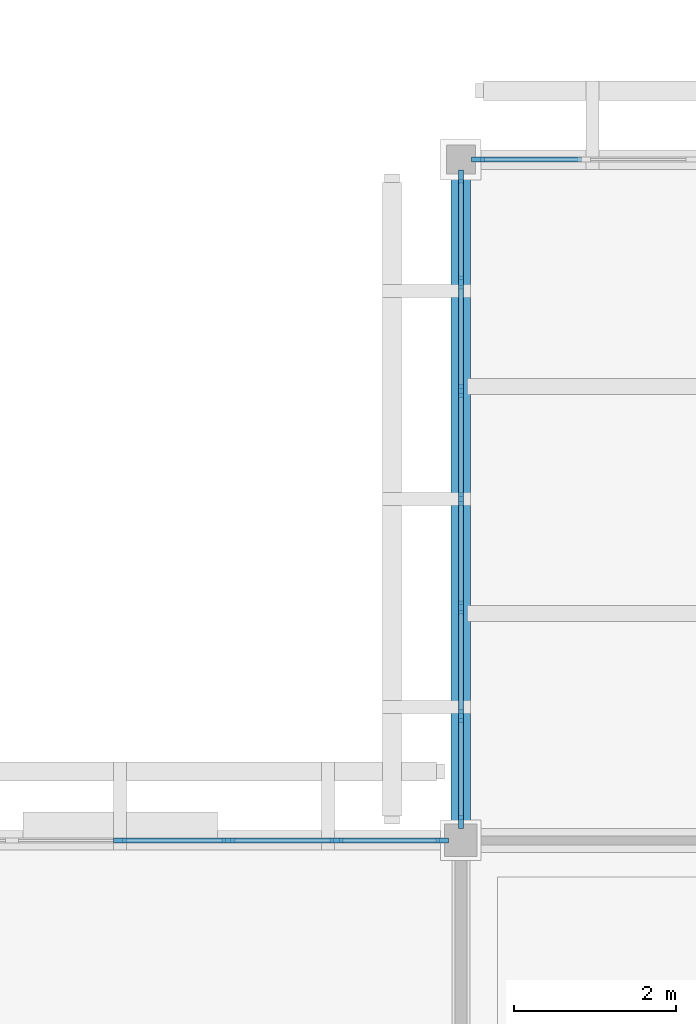
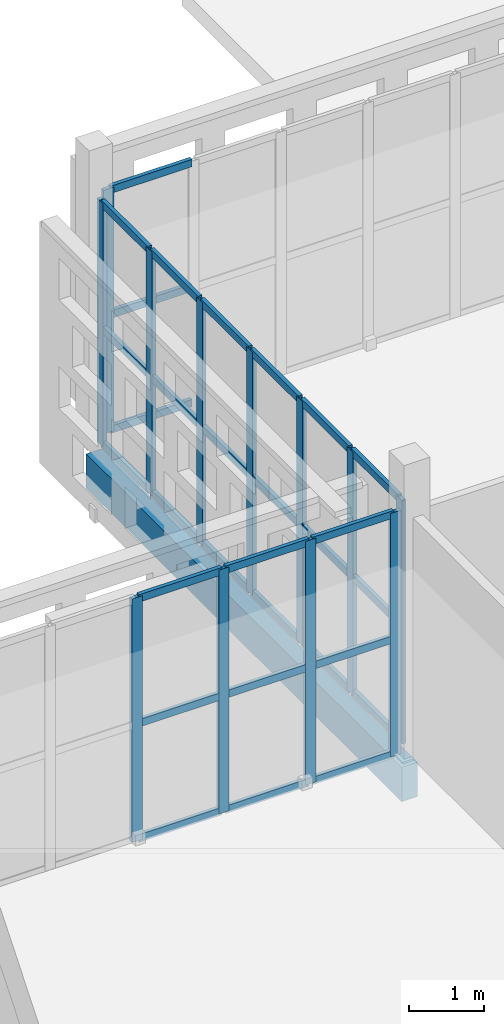
# One storey, part 38 of 203: 42 members, 1 beam, 3 elements without a shape of their own.
"""IFC4 building model written with IfcOpenShell, lengths in metres."""

import ifcopenshell
import ifcopenshell.guid

model = None  # the IFC model being written
_history = None  # IfcOwnerHistory: only IFC2X3 demands one
_inside = {}  # id of a spatial element -> (the spatial element, [elements in it])
_under = {}  # id of a project, library or spatial element -> (it, [spatial elements below it])
_declared = {}  # id of a project -> (the project, [libraries it declares])
_typed = {}  # id of a type object -> (the type object, [elements of that type])
_made_of = {}  # id of a material, layer set ... -> (it, [elements and type objects made of it])


def new_model(schema):
    """Start an empty IFC model of exactly this schema.

    Asked for "IFC4X3", IfcOpenShell would pick the latest addendum, in which some entities
    have other attributes; the version numbers below select the first issue.
    IFC2X3 requires an IfcOwnerHistory on every rooted entity: one is made here for all.
    """
    global model, _history
    if schema == "IFC4X3":
        model = ifcopenshell.file(schema_version=(4, 3, 0, 0))
    else:
        model = ifcopenshell.file(schema=schema)
    _inside.clear()
    _under.clear()
    _declared.clear()
    _typed.clear()
    _made_of.clear()
    _history = None
    if model.schema == "IFC2X3":
        org = make("IfcOrganization", Name="unknown")
        user = make(
            "IfcPersonAndOrganization",
            ThePerson=make("IfcPerson", FamilyName="unknown"),
            TheOrganization=org,
        )
        app = make(
            "IfcApplication",
            ApplicationDeveloper=org,
            Version="unknown",
            ApplicationFullName="unknown",
            ApplicationIdentifier="unknown",
        )
        _history = make(
            "IfcOwnerHistory",
            OwningUser=user,
            OwningApplication=app,
            ChangeAction="ADDED",
            CreationDate=0,
        )
    return model


def make(cls, **values):
    """One entity of the class cls with the attributes given. An attribute that is None is left unset."""
    return model.create_entity(
        cls, **{name: value for name, value in values.items() if value is not None}
    )


def rooted(cls, **values):
    """An entity with a GlobalId (a new one), such as an element, a storey or a relation."""
    return make(cls, GlobalId=ifcopenshell.guid.new(), OwnerHistory=_history, **values)


def si_unit(unit_type, name, prefix=None):
    """IfcSIUnit, for example si_unit("LENGTHUNIT", "METRE", prefix="MILLI")."""
    return make("IfcSIUnit", UnitType=unit_type, Prefix=prefix, Name=name)


def assignment(units):
    """IfcUnitAssignment: the units of a project."""
    return None if units is None else make("IfcUnitAssignment", Units=units)


def point(xyz):
    """IfcCartesianPoint."""
    return None if xyz is None else make("IfcCartesianPoint", Coordinates=xyz)


def direction(xyz):
    """IfcDirection."""
    return None if xyz is None else make("IfcDirection", DirectionRatios=xyz)


def frame(location, z_axis=None, x_axis=None):
    """IfcAxis2Placement3D, a coordinate frame: its origin and axes. An axis left out is left unset."""
    return make(
        "IfcAxis2Placement3D",
        Location=point(location),
        Axis=direction(z_axis),
        RefDirection=direction(x_axis),
    )


def frame_2d(location, x_axis=None):
    """IfcAxis2Placement2D, a coordinate frame in the plane: its origin and x axis."""
    return make(
        "IfcAxis2Placement2D", Location=point(location), RefDirection=direction(x_axis)
    )


def origin():
    """The frame at (0, 0, 0) with its axes left unset."""
    return frame((0.0, 0.0, 0.0))


def origin_2d():
    """The frame at (0, 0) in the plane with its x axis left unset."""
    return frame_2d((0.0, 0.0))


def place(relative_to, where):
    """IfcLocalPlacement: puts the frame where relative to a parent placement (None: the world)."""
    return make(
        "IfcLocalPlacement", PlacementRelTo=relative_to, RelativePlacement=where
    )


def context(
    kind, dimensions, precision=None, world=None, true_north=None, identifier=None
):
    """IfcGeometricRepresentationContext, for example the 3D "Model" context."""
    return make(
        "IfcGeometricRepresentationContext",
        ContextIdentifier=identifier,
        ContextType=kind,
        CoordinateSpaceDimension=dimensions,
        Precision=precision,
        WorldCoordinateSystem=world,
        TrueNorth=true_north,
    )


def subcontext(parent, identifier, kind, view, scale=None):
    """IfcGeometricRepresentationSubContext, for example "Body" below "Model"."""
    return make(
        "IfcGeometricRepresentationSubContext",
        ContextIdentifier=identifier,
        ContextType=kind,
        ParentContext=parent,
        TargetScale=scale,
        TargetView=view,
    )


def project(units=None, contexts=None):
    """IfcProject with its units and contexts."""
    return rooted(
        "IfcProject",
        Name="project",
        RepresentationContexts=contexts,
        UnitsInContext=assignment(units),
    )


def spatial(cls, under=None, at=None, **own):
    """A site, building, storey or space (cls), placed at a placement, below another one or the project."""
    s = rooted(cls, ObjectPlacement=at, **own)
    if under is not None:
        _under.setdefault(under.id(), (under, []))[1].append(s)
    return s


def profile(cls, at=None, kind="AREA", **sizes):
    """A parametric profile (cls). Its sizes go by their IFC names, for example OverallWidth=200.0."""
    return make(cls, ProfileType=kind, Position=at, **sizes)


def rectangle(**sizes):
    """IfcRectangleProfileDef."""
    return profile("IfcRectangleProfileDef", **sizes)


def extrude(swept, where, along, depth):
    """IfcExtrudedAreaSolid: the profile swept, set in the frame where, extruded along a direction by depth."""
    return make(
        "IfcExtrudedAreaSolid",
        SweptArea=swept,
        Position=where,
        ExtrudedDirection=direction(along),
        Depth=depth,
    )


def shape(context_of_items, identifier, shape_type, items):
    """IfcShapeRepresentation: the items that make up one representation, for example the "Body"."""
    return make(
        "IfcShapeRepresentation",
        ContextOfItems=context_of_items,
        RepresentationIdentifier=identifier,
        RepresentationType=shape_type,
        Items=items,
    )


def material(Name=None, Category=None):
    """IfcMaterial."""
    return make("IfcMaterial", Name=Name, Category=Category)


def layer(
    of_material, thickness, ventilated=None, Name=None, Category=None, Priority=None
):
    """IfcMaterialLayer: one layer of a wall or slab, of a material (None: an air gap)."""
    return make(
        "IfcMaterialLayer",
        Material=of_material,
        LayerThickness=thickness,
        IsVentilated=ventilated,
        Name=Name,
        Category=Category,
        Priority=Priority,
    )


def layer_set(layers, Name=None):
    """IfcMaterialLayerSet."""
    return make("IfcMaterialLayerSet", MaterialLayers=layers, LayerSetName=Name)


def material_profile(
    of_material, cross_section, Name=None, Category=None, Priority=None
):
    """IfcMaterialProfile: a cross section and its material."""
    return make(
        "IfcMaterialProfile",
        Name=Name,
        Material=of_material,
        Profile=cross_section,
        Priority=Priority,
        Category=Category,
    )


def profile_set(profiles, Name=None, composite=None):
    """IfcMaterialProfileSet."""
    return make(
        "IfcMaterialProfileSet",
        Name=Name,
        MaterialProfiles=profiles,
        CompositeProfile=composite,
    )


def made_of(thing, what):
    """Note that an element or type object is made of a material, layer set ...; save() writes the relation."""
    if what is not None:
        _made_of.setdefault(what.id(), (what, []))[1].append(thing)
    return thing


def type_object(cls, material=None, **own):
    """A type object (cls), such as IfcWallType, which elements share."""
    return made_of(rooted(cls, **own), material)


def element(
    cls,
    number,
    at=None,
    inside=None,
    cuts=None,
    type_object=None,
    material=None,
    context=None,
    identifier="Body",
    shape_type=None,
    held_by="IfcProductDefinitionShape",
    body=None,
    shapes=None,
    **own,
):
    """One element of the class cls, such as IfcWall. Its Tag is "e" and its number.

    at: its placement. inside: the storey or other place that contains it. cuts: it is an
    opening in that element (IfcRelVoidsElement). A single representation is given by context,
    identifier, shape_type and body (its items); several are given by shapes. held_by: the class
    of the entity that holds the representations. save() writes the other relations.
    """
    e = rooted(cls, Tag="e%d" % number, ObjectPlacement=at, **own)
    if body is not None:
        shapes = [shape(context, identifier, shape_type, body)]
    if shapes is not None:
        e.Representation = make(held_by, Representations=shapes)
    if inside is not None:
        _inside.setdefault(inside.id(), (inside, []))[1].append(e)
    if cuts is not None:
        rooted(
            "IfcRelVoidsElement", RelatingBuildingElement=cuts, RelatedOpeningElement=e
        )
    if type_object is not None:
        _typed.setdefault(type_object.id(), (type_object, []))[1].append(e)
    return made_of(e, material)


def aggregate(whole, parts):
    """IfcRelAggregates: a whole, such as a stair, and the parts it consists of."""
    return rooted("IfcRelAggregates", RelatingObject=whole, RelatedObjects=parts)


def save(model, path):
    """Write the relations noted so far, then the file.

    IfcRelAggregates (storeys below a building ...), IfcRelContainedInSpatialStructure (elements
    in a storey), IfcRelDefinesByType, IfcRelAssociatesMaterial and IfcRelDeclares: one each for
    every whole, place, type object, material and project.
    """
    for whole, parts in _under.values():
        aggregate(whole, parts)
    for where, things in _inside.values():
        rooted(
            "IfcRelContainedInSpatialStructure",
            RelatedElements=things,
            RelatingStructure=where,
        )
    for kind, things in _typed.values():
        rooted("IfcRelDefinesByType", RelatedObjects=things, RelatingType=kind)
    for what, things in _made_of.values():
        rooted("IfcRelAssociatesMaterial", RelatedObjects=things, RelatingMaterial=what)
    for by, libraries in _declared.values():
        rooted("IfcRelDeclares", RelatingContext=by, RelatedDefinitions=libraries)
    model.write(path)


model = new_model("IFC4")

# Units and contexts
model_context = context("Model", 3, precision=1e-05, world=origin(), true_north=direction((0.0, 1.0)))
body_context = subcontext(model_context, "Body", "Model", "MODEL_VIEW")
ifc_project = project(units=[si_unit("LENGTHUNIT", "METRE"), si_unit("AREAUNIT", "SQUARE_METRE"), si_unit("VOLUMEUNIT", "CUBIC_METRE"), si_unit("PLANEANGLEUNIT", "RADIAN"), si_unit("MASSUNIT", "GRAM", prefix="KILO")], contexts=[model_context])

# Site, building, storey
site_placement = place(None, origin())
site = spatial("IfcSite", under=ifc_project, at=site_placement, CompositionType="ELEMENT")
building_placement = place(site_placement, origin())
building = spatial("IfcBuilding", under=site, at=building_placement, Name="Varnapada Polytechnic", CompositionType="ELEMENT")
storey_placement = place(building_placement, frame((0.0, 0.0, 4.800048828125)))
storey = spatial("IfcBuildingStorey", under=building, at=storey_placement, Name="L01", CompositionType="ELEMENT", Elevation=4.800048828125)

# Curtain wall, members
ifc_material_1 = material(Name="Double low-E laminated glass", Category="glass")
ifc_layer = layer(ifc_material_1, 0.159912109375)
ifc_layer_set = layer_set([ifc_layer], Name="Double low-E laminated glass")
curtain_wall_type = type_object("IfcCurtainWallType", Name="Curtain Wall CW-01", PredefinedType="NOTDEFINED", material=ifc_layer_set)
curtain_wall_1_placement = place(storey_placement, origin())
curtain_wall_1 = element("IfcCurtainWall", 1, at=curtain_wall_1_placement, inside=storey, type_object=curtain_wall_type, Name="L01 unitised curtain wall CW-01 (89)", PredefinedType="NOTDEFINED")
ifc_material_2 = material(Name="Anodised aluminium", Category="aluminium")
ifc_material_profile_1 = material_profile(ifc_material_2, rectangle(XDim=0.06005859375, YDim=0.159912109375, at=origin_2d()), Name="ALU M60x160")
ifc_profile_set_1 = profile_set([ifc_material_profile_1], Name="Anodised aluminium")
member_type_1 = type_object("IfcMemberType", Name="Mullion M-01", PredefinedType="MULLION", material=ifc_profile_set_1)
member_1_placement = place(storey_placement, frame((121.794921875, 42.0, 0.0), z_axis=(0.0, 0.0, 1.0), x_axis=(0.0, 1.0, 0.0)))
member_1 = element("IfcMember", 2, at=member_1_placement, type_object=member_type_1, Name="CW-01 mullion 4", PredefinedType="MULLION", context=body_context, shape_type="SweptSolid", body=[
    extrude(rectangle(XDim=0.06005859375, YDim=0.159912109375, at=origin_2d()), origin(), (0.0, 0.0, 1.0), 3.9599609375),
])
member_2_placement = place(storey_placement, frame((123.1298828125, 42.0, 0.0), z_axis=(0.0, 0.0, 1.0), x_axis=(0.0, 1.0, 0.0)))
member_2 = element("IfcMember", 3, at=member_2_placement, type_object=member_type_1, Name="CW-01 mullion 5", PredefinedType="MULLION", context=body_context, shape_type="SweptSolid", body=[
    extrude(rectangle(XDim=0.06005859375, YDim=0.159912109375, at=origin_2d()), origin(), (0.0, 0.0, 1.0), 3.9599609375),
])
member_3_placement = place(storey_placement, frame((124.465087890625, 42.0, 0.0), z_axis=(0.0, 0.0, 1.0), x_axis=(0.0, 1.0, 0.0)))
member_3 = element("IfcMember", 4, at=member_3_placement, type_object=member_type_1, Name="CW-01 mullion 6", PredefinedType="MULLION", context=body_context, shape_type="SweptSolid", body=[
    extrude(rectangle(XDim=0.06005859375, YDim=0.159912109375, at=origin_2d()), origin(), (0.0, 0.0, 1.0), 3.9599609375),
])
member_4_placement = place(storey_placement, frame((125.77001953125, 42.0, 0.0), z_axis=(0.0, 0.0, 1.0), x_axis=(0.0, 1.0, 0.0)))
member_4 = element("IfcMember", 5, at=member_4_placement, type_object=member_type_1, Name="CW-01 mullion 7", PredefinedType="MULLION", context=body_context, shape_type="SweptSolid", body=[
    extrude(rectangle(XDim=0.06005859375, YDim=0.159912109375, at=origin_2d()), origin(), (0.0, 0.0, 1.0), 3.9599609375),
])

# Curtain wall, member
curtain_wall_2_placement = place(storey_placement, origin())
curtain_wall_2 = element("IfcCurtainWall", 6, at=curtain_wall_2_placement, inside=storey, type_object=curtain_wall_type, Name="L01 unitised curtain wall CW-01 (94)", PredefinedType="NOTDEFINED")
member_5_placement = place(storey_placement, frame((126.2099609375, 50.39990234375, 0.0), z_axis=(0.0, 0.0, 1.0), x_axis=(0.0, 1.0, 0.0)))
member_5 = element("IfcMember", 7, at=member_5_placement, type_object=member_type_1, Name="CW-01 mullion 1", PredefinedType="MULLION", context=body_context, shape_type="SweptSolid", body=[
    extrude(rectangle(XDim=0.06005859375, YDim=0.159912109375, at=origin_2d()), origin(), (0.0, 0.0, 1.0), 3.9599609375),
])

# Curtain wall, members
curtain_wall_3_placement = place(storey_placement, origin())
curtain_wall_3 = element("IfcCurtainWall", 8, at=curtain_wall_3_placement, inside=storey, type_object=curtain_wall_type, Name="L01 unitised curtain wall CW-01 (95)", PredefinedType="NOTDEFINED")
member_6_placement = place(storey_placement, frame((126.0, 42.22998046875, 0.0), z_axis=(0.0, 0.0, 1.0), x_axis=(-1.0, 0.0, 0.0)))
member_6 = element("IfcMember", 9, at=member_6_placement, type_object=member_type_1, Name="CW-01 mullion 1", PredefinedType="MULLION", context=body_context, shape_type="SweptSolid", body=[
    extrude(rectangle(XDim=0.06005859375, YDim=0.159912109375, at=origin_2d()), origin(), (0.0, 0.0, 1.0), 3.9599609375),
])
member_7_placement = place(storey_placement, frame((126.0, 43.53662109375, 0.0), z_axis=(0.0, 0.0, 1.0), x_axis=(-1.0, 0.0, 0.0)))
member_7 = element("IfcMember", 10, at=member_7_placement, type_object=member_type_1, Name="CW-01 mullion 2", PredefinedType="MULLION", context=body_context, shape_type="SweptSolid", body=[
    extrude(rectangle(XDim=0.06005859375, YDim=0.159912109375, at=origin_2d()), origin(), (0.0, 0.0, 1.0), 3.9599609375),
])
member_8_placement = place(storey_placement, frame((126.0, 44.873291015625, 0.0), z_axis=(0.0, 0.0, 1.0), x_axis=(-1.0, 0.0, 0.0)))
member_8 = element("IfcMember", 11, at=member_8_placement, type_object=member_type_1, Name="CW-01 mullion 3", PredefinedType="MULLION", context=body_context, shape_type="SweptSolid", body=[
    extrude(rectangle(XDim=0.06005859375, YDim=0.159912109375, at=origin_2d()), origin(), (0.0, 0.0, 1.0), 3.9599609375),
])
member_9_placement = place(storey_placement, frame((126.0, 46.2099609375, 0.0), z_axis=(0.0, 0.0, 1.0), x_axis=(-1.0, 0.0, 0.0)))
member_9 = element("IfcMember", 12, at=member_9_placement, type_object=member_type_1, Name="CW-01 mullion 4", PredefinedType="MULLION", context=body_context, shape_type="SweptSolid", body=[
    extrude(rectangle(XDim=0.06005859375, YDim=0.159912109375, at=origin_2d()), origin(), (0.0, 0.0, 1.0), 3.9599609375),
])
member_10_placement = place(storey_placement, frame((126.0, 47.546630859375, 0.0), z_axis=(0.0, 0.0, 1.0), x_axis=(-1.0, 0.0, 0.0)))
member_10 = element("IfcMember", 13, at=member_10_placement, type_object=member_type_1, Name="CW-01 mullion 5", PredefinedType="MULLION", context=body_context, shape_type="SweptSolid", body=[
    extrude(rectangle(XDim=0.06005859375, YDim=0.159912109375, at=origin_2d()), origin(), (0.0, 0.0, 1.0), 3.9599609375),
])
member_11_placement = place(storey_placement, frame((126.0, 48.88330078125, 0.0), z_axis=(0.0, 0.0, 1.0), x_axis=(-1.0, 0.0, 0.0)))
member_11 = element("IfcMember", 14, at=member_11_placement, type_object=member_type_1, Name="CW-01 mullion 6", PredefinedType="MULLION", context=body_context, shape_type="SweptSolid", body=[
    extrude(rectangle(XDim=0.06005859375, YDim=0.159912109375, at=origin_2d()), origin(), (0.0, 0.0, 1.0), 3.9599609375),
])
member_12_placement = place(storey_placement, frame((126.0, 50.18994140625, 0.0), z_axis=(0.0, 0.0, 1.0), x_axis=(-1.0, 0.0, 0.0)))
member_12 = element("IfcMember", 15, at=member_12_placement, type_object=member_type_1, Name="CW-01 mullion 7", PredefinedType="MULLION", context=body_context, shape_type="SweptSolid", body=[
    extrude(rectangle(XDim=0.06005859375, YDim=0.159912109375, at=origin_2d()), origin(), (0.0, 0.0, 1.0), 3.9599609375),
])

# Beam
ifc_material_3 = material(Name="Glulam GL32h", Category="wood")
ifc_material_profile_2 = material_profile(ifc_material_3, rectangle(XDim=0.239990234375, YDim=0.56005859375, at=origin_2d()), Name="GL 240x560")
ifc_profile_set_2 = profile_set([ifc_material_profile_2], Name="Glulam GL32h")
beam_type = type_object("IfcBeamType", Name="Perimeter glulam spandrel beam SP-02 (GL 240x560)", PredefinedType="SPANDREL", material=ifc_profile_set_2)
beam_placement = place(storey_placement, frame((126.0, 42.0, -0.530029296875), z_axis=(0.0, 1.0, 0.0), x_axis=(-1.0, 0.0, 0.0)))
element("IfcBeam", 16, at=beam_placement, inside=storey, type_object=beam_type, Name="L01 beam Y 6-7 at X16", PredefinedType="SPANDREL", context=body_context, shape_type="SweptSolid", body=[
    extrude(rectangle(XDim=0.239990234375, YDim=0.56005859375, at=origin_2d()), origin(), (0.0, 0.0, 1.0), 8.39990234375),
])

# Member
ifc_material_profile_3 = material_profile(ifc_material_2, rectangle(XDim=0.06005859375, YDim=0.1201171875, at=origin_2d()), Name="ALU T60x120")
ifc_profile_set_3 = profile_set([ifc_material_profile_3], Name="Anodised aluminium")
member_type_2 = type_object("IfcMemberType", Name="Transom T-01", PredefinedType="USERDEFINED", material=ifc_profile_set_3)
member_13_placement = place(storey_placement, frame((121.824951171875, 42.0, 0.030029296875), z_axis=(1.0, 0.0, 0.0), x_axis=(0.0, 1.0, 0.0)))
member_13 = element("IfcMember", 17, at=member_13_placement, type_object=member_type_2, Name="CW-01 transom 4.1", ObjectType="TRANSOM", PredefinedType="USERDEFINED", context=body_context, shape_type="SweptSolid", body=[
    extrude(rectangle(XDim=0.06005859375, YDim=0.1201171875, at=origin_2d()), origin(), (0.0, 0.0, 1.0), 1.275146484375),
])

member_14_placement = place(storey_placement, frame((121.824951171875, 42.0, 1.900634765625), z_axis=(1.0, 0.0, 0.0), x_axis=(0.0, 1.0, 0.0)))
member_14 = element("IfcMember", 18, at=member_14_placement, type_object=member_type_2, Name="CW-01 transom 4.2", ObjectType="TRANSOM", PredefinedType="USERDEFINED", context=body_context, shape_type="SweptSolid", body=[
    extrude(rectangle(XDim=0.06005859375, YDim=0.1201171875, at=origin_2d()), origin(), (0.0, 0.0, 1.0), 1.275146484375),
])

member_15_placement = place(storey_placement, frame((121.824951171875, 42.0, 3.929931640625), z_axis=(1.0, 0.0, 0.0), x_axis=(0.0, 1.0, 0.0)))
member_15 = element("IfcMember", 19, at=member_15_placement, type_object=member_type_2, Name="CW-01 transom 4.3", ObjectType="TRANSOM", PredefinedType="USERDEFINED", context=body_context, shape_type="SweptSolid", body=[
    extrude(rectangle(XDim=0.06005859375, YDim=0.1201171875, at=origin_2d()), origin(), (0.0, 0.0, 1.0), 1.275146484375),
])

member_16_placement = place(storey_placement, frame((123.159912109375, 42.0, 0.030029296875), z_axis=(1.0, 0.0, 0.0), x_axis=(0.0, 1.0, 0.0)))
member_16 = element("IfcMember", 20, at=member_16_placement, type_object=member_type_2, Name="CW-01 transom 5.1", ObjectType="TRANSOM", PredefinedType="USERDEFINED", context=body_context, shape_type="SweptSolid", body=[
    extrude(rectangle(XDim=0.06005859375, YDim=0.1201171875, at=origin_2d()), origin(), (0.0, 0.0, 1.0), 1.275146484375),
])

member_17_placement = place(storey_placement, frame((123.159912109375, 42.0, 1.900634765625), z_axis=(1.0, 0.0, 0.0), x_axis=(0.0, 1.0, 0.0)))
member_17 = element("IfcMember", 21, at=member_17_placement, type_object=member_type_2, Name="CW-01 transom 5.2", ObjectType="TRANSOM", PredefinedType="USERDEFINED", context=body_context, shape_type="SweptSolid", body=[
    extrude(rectangle(XDim=0.06005859375, YDim=0.1201171875, at=origin_2d()), origin(), (0.0, 0.0, 1.0), 1.275146484375),
])

member_18_placement = place(storey_placement, frame((123.159912109375, 42.0, 3.929931640625), z_axis=(1.0, 0.0, 0.0), x_axis=(0.0, 1.0, 0.0)))
member_18 = element("IfcMember", 22, at=member_18_placement, type_object=member_type_2, Name="CW-01 transom 5.3", ObjectType="TRANSOM", PredefinedType="USERDEFINED", context=body_context, shape_type="SweptSolid", body=[
    extrude(rectangle(XDim=0.06005859375, YDim=0.1201171875, at=origin_2d()), origin(), (0.0, 0.0, 1.0), 1.275146484375),
])

member_19_placement = place(storey_placement, frame((124.4951171875, 42.0, 0.030029296875), z_axis=(1.0, 0.0, 0.0), x_axis=(0.0, 1.0, 0.0)))
member_19 = element("IfcMember", 23, at=member_19_placement, type_object=member_type_2, Name="CW-01 transom 6.1", ObjectType="TRANSOM", PredefinedType="USERDEFINED", context=body_context, shape_type="SweptSolid", body=[
    extrude(rectangle(XDim=0.06005859375, YDim=0.1201171875, at=origin_2d()), origin(), (0.0, 0.0, 1.0), 1.244873046875),
])

member_20_placement = place(storey_placement, frame((124.4951171875, 42.0, 1.900634765625), z_axis=(1.0, 0.0, 0.0), x_axis=(0.0, 1.0, 0.0)))
member_20 = element("IfcMember", 24, at=member_20_placement, type_object=member_type_2, Name="CW-01 transom 6.2", ObjectType="TRANSOM", PredefinedType="USERDEFINED", context=body_context, shape_type="SweptSolid", body=[
    extrude(rectangle(XDim=0.06005859375, YDim=0.1201171875, at=origin_2d()), origin(), (0.0, 0.0, 1.0), 1.244873046875),
])

member_21_placement = place(storey_placement, frame((124.4951171875, 42.0, 3.929931640625), z_axis=(1.0, 0.0, 0.0), x_axis=(0.0, 1.0, 0.0)))
member_21 = element("IfcMember", 25, at=member_21_placement, type_object=member_type_2, Name="CW-01 transom 6.3", ObjectType="TRANSOM", PredefinedType="USERDEFINED", context=body_context, shape_type="SweptSolid", body=[
    extrude(rectangle(XDim=0.06005859375, YDim=0.1201171875, at=origin_2d()), origin(), (0.0, 0.0, 1.0), 1.244873046875),
])

aggregate(curtain_wall_1, [member_1, member_2, member_3, member_4, member_13, member_14, member_15, member_16, member_17, member_18, member_19, member_20, member_21])

member_22_placement = place(storey_placement, frame((126.239990234375, 50.39990234375, 0.030029296875), z_axis=(1.0, 0.0, 0.0), x_axis=(0.0, 1.0, 0.0)))
member_22 = element("IfcMember", 26, at=member_22_placement, type_object=member_type_2, Name="CW-01 transom 1.1", ObjectType="TRANSOM", PredefinedType="USERDEFINED", context=body_context, shape_type="SweptSolid", body=[
    extrude(rectangle(XDim=0.06005859375, YDim=0.1201171875, at=origin_2d()), origin(), (0.0, 0.0, 1.0), 1.248291015625),
])

member_23_placement = place(storey_placement, frame((126.239990234375, 50.39990234375, 1.900634765625), z_axis=(1.0, 0.0, 0.0), x_axis=(0.0, 1.0, 0.0)))
member_23 = element("IfcMember", 27, at=member_23_placement, type_object=member_type_2, Name="CW-01 transom 1.2", ObjectType="TRANSOM", PredefinedType="USERDEFINED", context=body_context, shape_type="SweptSolid", body=[
    extrude(rectangle(XDim=0.06005859375, YDim=0.1201171875, at=origin_2d()), origin(), (0.0, 0.0, 1.0), 1.248291015625),
])

member_24_placement = place(storey_placement, frame((126.239990234375, 50.39990234375, 3.929931640625), z_axis=(1.0, 0.0, 0.0), x_axis=(0.0, 1.0, 0.0)))
member_24 = element("IfcMember", 28, at=member_24_placement, type_object=member_type_2, Name="CW-01 transom 1.3", ObjectType="TRANSOM", PredefinedType="USERDEFINED", context=body_context, shape_type="SweptSolid", body=[
    extrude(rectangle(XDim=0.06005859375, YDim=0.1201171875, at=origin_2d()), origin(), (0.0, 0.0, 1.0), 1.248291015625),
])

aggregate(curtain_wall_2, [member_5, member_22, member_23, member_24])

member_25_placement = place(storey_placement, frame((126.0, 42.260009765625, 0.030029296875), z_axis=(0.0, 1.0, 0.0), x_axis=(-1.0, 0.0, 0.0)))
member_25 = element("IfcMember", 29, at=member_25_placement, type_object=member_type_2, Name="CW-01 transom 1.1", ObjectType="TRANSOM", PredefinedType="USERDEFINED", context=body_context, shape_type="SweptSolid", body=[
    extrude(rectangle(XDim=0.06005859375, YDim=0.1201171875, at=origin_2d()), origin(), (0.0, 0.0, 1.0), 1.24658203125),
])

member_26_placement = place(storey_placement, frame((126.0, 42.260009765625, 1.900634765625), z_axis=(0.0, 1.0, 0.0), x_axis=(-1.0, 0.0, 0.0)))
member_26 = element("IfcMember", 30, at=member_26_placement, type_object=member_type_2, Name="CW-01 transom 1.2", ObjectType="TRANSOM", PredefinedType="USERDEFINED", context=body_context, shape_type="SweptSolid", body=[
    extrude(rectangle(XDim=0.06005859375, YDim=0.1201171875, at=origin_2d()), origin(), (0.0, 0.0, 1.0), 1.24658203125),
])

member_27_placement = place(storey_placement, frame((126.0, 42.260009765625, 3.929931640625), z_axis=(0.0, 1.0, 0.0), x_axis=(-1.0, 0.0, 0.0)))
member_27 = element("IfcMember", 31, at=member_27_placement, type_object=member_type_2, Name="CW-01 transom 1.3", ObjectType="TRANSOM", PredefinedType="USERDEFINED", context=body_context, shape_type="SweptSolid", body=[
    extrude(rectangle(XDim=0.06005859375, YDim=0.1201171875, at=origin_2d()), origin(), (0.0, 0.0, 1.0), 1.24658203125),
])

member_28_placement = place(storey_placement, frame((126.0, 43.566650390625, 0.030029296875), z_axis=(0.0, 1.0, 0.0), x_axis=(-1.0, 0.0, 0.0)))
member_28 = element("IfcMember", 32, at=member_28_placement, type_object=member_type_2, Name="CW-01 transom 2.1", ObjectType="TRANSOM", PredefinedType="USERDEFINED", context=body_context, shape_type="SweptSolid", body=[
    extrude(rectangle(XDim=0.06005859375, YDim=0.1201171875, at=origin_2d()), origin(), (0.0, 0.0, 1.0), 1.276611328125),
])

member_29_placement = place(storey_placement, frame((126.0, 43.566650390625, 1.900634765625), z_axis=(0.0, 1.0, 0.0), x_axis=(-1.0, 0.0, 0.0)))
member_29 = element("IfcMember", 33, at=member_29_placement, type_object=member_type_2, Name="CW-01 transom 2.2", ObjectType="TRANSOM", PredefinedType="USERDEFINED", context=body_context, shape_type="SweptSolid", body=[
    extrude(rectangle(XDim=0.06005859375, YDim=0.1201171875, at=origin_2d()), origin(), (0.0, 0.0, 1.0), 1.276611328125),
])

member_30_placement = place(storey_placement, frame((126.0, 43.566650390625, 3.929931640625), z_axis=(0.0, 1.0, 0.0), x_axis=(-1.0, 0.0, 0.0)))
member_30 = element("IfcMember", 34, at=member_30_placement, type_object=member_type_2, Name="CW-01 transom 2.3", ObjectType="TRANSOM", PredefinedType="USERDEFINED", context=body_context, shape_type="SweptSolid", body=[
    extrude(rectangle(XDim=0.06005859375, YDim=0.1201171875, at=origin_2d()), origin(), (0.0, 0.0, 1.0), 1.276611328125),
])

member_31_placement = place(storey_placement, frame((126.0, 44.9033203125, 0.030029296875), z_axis=(0.0, 1.0, 0.0), x_axis=(-1.0, 0.0, 0.0)))
member_31 = element("IfcMember", 35, at=member_31_placement, type_object=member_type_2, Name="CW-01 transom 3.1", ObjectType="TRANSOM", PredefinedType="USERDEFINED", context=body_context, shape_type="SweptSolid", body=[
    extrude(rectangle(XDim=0.06005859375, YDim=0.1201171875, at=origin_2d()), origin(), (0.0, 0.0, 1.0), 1.276611328125),
])

member_32_placement = place(storey_placement, frame((126.0, 44.9033203125, 1.900634765625), z_axis=(0.0, 1.0, 0.0), x_axis=(-1.0, 0.0, 0.0)))
member_32 = element("IfcMember", 36, at=member_32_placement, type_object=member_type_2, Name="CW-01 transom 3.2", ObjectType="TRANSOM", PredefinedType="USERDEFINED", context=body_context, shape_type="SweptSolid", body=[
    extrude(rectangle(XDim=0.06005859375, YDim=0.1201171875, at=origin_2d()), origin(), (0.0, 0.0, 1.0), 1.276611328125),
])

member_33_placement = place(storey_placement, frame((126.0, 44.9033203125, 3.929931640625), z_axis=(0.0, 1.0, 0.0), x_axis=(-1.0, 0.0, 0.0)))
member_33 = element("IfcMember", 37, at=member_33_placement, type_object=member_type_2, Name="CW-01 transom 3.3", ObjectType="TRANSOM", PredefinedType="USERDEFINED", context=body_context, shape_type="SweptSolid", body=[
    extrude(rectangle(XDim=0.06005859375, YDim=0.1201171875, at=origin_2d()), origin(), (0.0, 0.0, 1.0), 1.276611328125),
])

member_34_placement = place(storey_placement, frame((126.0, 46.239990234375, 0.030029296875), z_axis=(0.0, 1.0, 0.0), x_axis=(-1.0, 0.0, 0.0)))
member_34 = element("IfcMember", 38, at=member_34_placement, type_object=member_type_2, Name="CW-01 transom 4.1", ObjectType="TRANSOM", PredefinedType="USERDEFINED", context=body_context, shape_type="SweptSolid", body=[
    extrude(rectangle(XDim=0.06005859375, YDim=0.1201171875, at=origin_2d()), origin(), (0.0, 0.0, 1.0), 1.276611328125),
])

member_35_placement = place(storey_placement, frame((126.0, 46.239990234375, 1.900634765625), z_axis=(0.0, 1.0, 0.0), x_axis=(-1.0, 0.0, 0.0)))
member_35 = element("IfcMember", 39, at=member_35_placement, type_object=member_type_2, Name="CW-01 transom 4.2", ObjectType="TRANSOM", PredefinedType="USERDEFINED", context=body_context, shape_type="SweptSolid", body=[
    extrude(rectangle(XDim=0.06005859375, YDim=0.1201171875, at=origin_2d()), origin(), (0.0, 0.0, 1.0), 1.276611328125),
])

member_36_placement = place(storey_placement, frame((126.0, 46.239990234375, 3.929931640625), z_axis=(0.0, 1.0, 0.0), x_axis=(-1.0, 0.0, 0.0)))
member_36 = element("IfcMember", 40, at=member_36_placement, type_object=member_type_2, Name="CW-01 transom 4.3", ObjectType="TRANSOM", PredefinedType="USERDEFINED", context=body_context, shape_type="SweptSolid", body=[
    extrude(rectangle(XDim=0.06005859375, YDim=0.1201171875, at=origin_2d()), origin(), (0.0, 0.0, 1.0), 1.276611328125),
])

member_37_placement = place(storey_placement, frame((126.0, 47.57666015625, 0.030029296875), z_axis=(0.0, 1.0, 0.0), x_axis=(-1.0, 0.0, 0.0)))
member_37 = element("IfcMember", 41, at=member_37_placement, type_object=member_type_2, Name="CW-01 transom 5.1", ObjectType="TRANSOM", PredefinedType="USERDEFINED", context=body_context, shape_type="SweptSolid", body=[
    extrude(rectangle(XDim=0.06005859375, YDim=0.1201171875, at=origin_2d()), origin(), (0.0, 0.0, 1.0), 1.276611328125),
])

member_38_placement = place(storey_placement, frame((126.0, 47.57666015625, 1.900634765625), z_axis=(0.0, 1.0, 0.0), x_axis=(-1.0, 0.0, 0.0)))
member_38 = element("IfcMember", 42, at=member_38_placement, type_object=member_type_2, Name="CW-01 transom 5.2", ObjectType="TRANSOM", PredefinedType="USERDEFINED", context=body_context, shape_type="SweptSolid", body=[
    extrude(rectangle(XDim=0.06005859375, YDim=0.1201171875, at=origin_2d()), origin(), (0.0, 0.0, 1.0), 1.276611328125),
])

member_39_placement = place(storey_placement, frame((126.0, 47.57666015625, 3.929931640625), z_axis=(0.0, 1.0, 0.0), x_axis=(-1.0, 0.0, 0.0)))
member_39 = element("IfcMember", 43, at=member_39_placement, type_object=member_type_2, Name="CW-01 transom 5.3", ObjectType="TRANSOM", PredefinedType="USERDEFINED", context=body_context, shape_type="SweptSolid", body=[
    extrude(rectangle(XDim=0.06005859375, YDim=0.1201171875, at=origin_2d()), origin(), (0.0, 0.0, 1.0), 1.276611328125),
])

member_40_placement = place(storey_placement, frame((126.0, 48.913330078125, 0.030029296875), z_axis=(0.0, 1.0, 0.0), x_axis=(-1.0, 0.0, 0.0)))
member_40 = element("IfcMember", 44, at=member_40_placement, type_object=member_type_2, Name="CW-01 transom 6.1", ObjectType="TRANSOM", PredefinedType="USERDEFINED", context=body_context, shape_type="SweptSolid", body=[
    extrude(rectangle(XDim=0.06005859375, YDim=0.1201171875, at=origin_2d()), origin(), (0.0, 0.0, 1.0), 1.24658203125),
])

member_41_placement = place(storey_placement, frame((126.0, 48.913330078125, 1.900634765625), z_axis=(0.0, 1.0, 0.0), x_axis=(-1.0, 0.0, 0.0)))
member_41 = element("IfcMember", 45, at=member_41_placement, type_object=member_type_2, Name="CW-01 transom 6.2", ObjectType="TRANSOM", PredefinedType="USERDEFINED", context=body_context, shape_type="SweptSolid", body=[
    extrude(rectangle(XDim=0.06005859375, YDim=0.1201171875, at=origin_2d()), origin(), (0.0, 0.0, 1.0), 1.24658203125),
])

member_42_placement = place(storey_placement, frame((126.0, 48.913330078125, 3.929931640625), z_axis=(0.0, 1.0, 0.0), x_axis=(-1.0, 0.0, 0.0)))
member_42 = element("IfcMember", 46, at=member_42_placement, type_object=member_type_2, Name="CW-01 transom 6.3", ObjectType="TRANSOM", PredefinedType="USERDEFINED", context=body_context, shape_type="SweptSolid", body=[
    extrude(rectangle(XDim=0.06005859375, YDim=0.1201171875, at=origin_2d()), origin(), (0.0, 0.0, 1.0), 1.24658203125),
])

aggregate(curtain_wall_3, [member_6, member_7, member_8, member_9, member_10, member_11, member_12, member_25, member_26, member_27, member_28, member_29, member_30, member_31, member_32, member_33, member_34, member_35, member_36, member_37, member_38, member_39, member_40, member_41, member_42])

save(model, "model.ifc")
